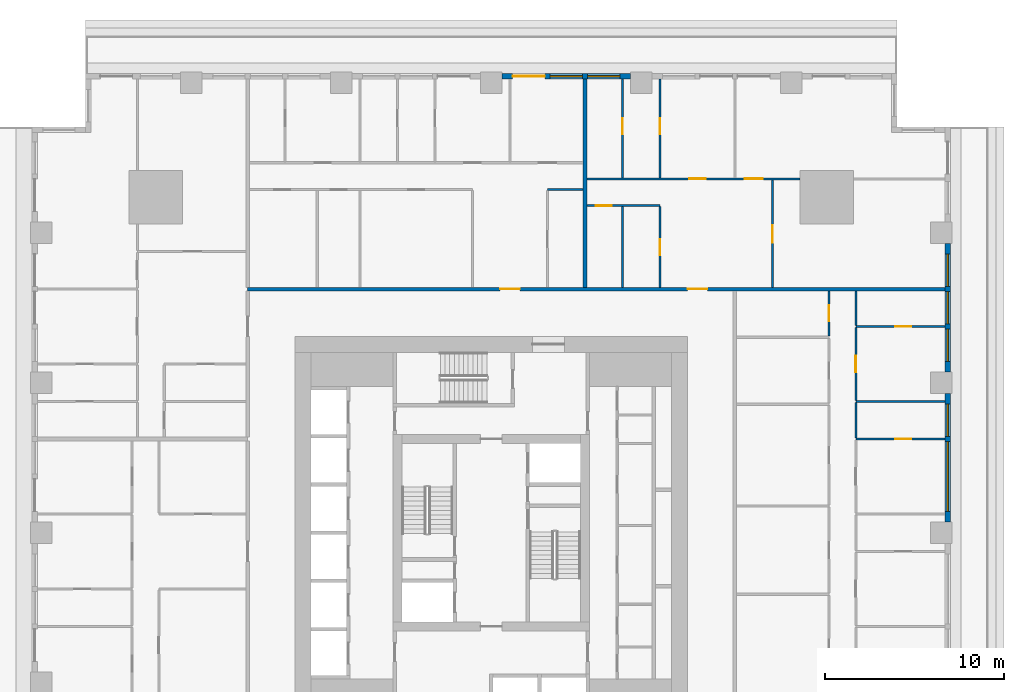
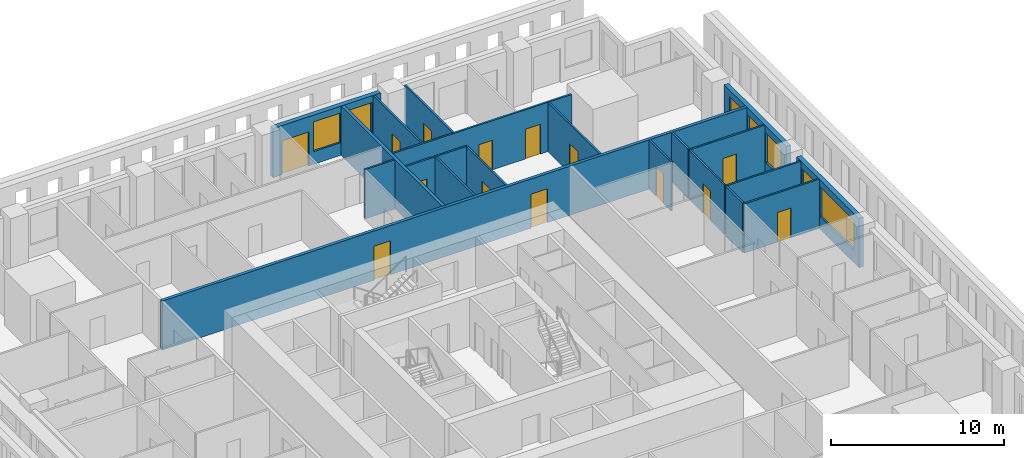
# One storey, part 9 of 15: 20 walls, 14 doors, 7 windows, 21 openings.
"""IFC4 building model written with IfcOpenShell, lengths in metres."""

from ifc_helpers import new_model, si_unit, direction, frame, frame_2d, origin, place, context, subcontext, project, spatial, rectangle, extrude, material, layer, layer_set, type_object, element, fill, save


model = new_model("IFC4")

# Units and contexts
model_context = context("Model", 3, precision=1e-05, world=origin(), true_north=direction((0.0, 1.0)))
body_context = subcontext(model_context, "Body", "Model", "MODEL_VIEW")
ifc_project = project(units=[si_unit("LENGTHUNIT", "METRE"), si_unit("AREAUNIT", "SQUARE_METRE"), si_unit("VOLUMEUNIT", "CUBIC_METRE"), si_unit("PLANEANGLEUNIT", "RADIAN"), si_unit("MASSUNIT", "GRAM", prefix="KILO")], contexts=[model_context])

# Site, building, storey
site_placement = place(None, origin())
site = spatial("IfcSite", under=ifc_project, at=site_placement, CompositionType="ELEMENT")
building_placement = place(site_placement, origin())
building = spatial("IfcBuilding", under=site, at=building_placement, Name="Khepri Terraces", CompositionType="ELEMENT")
storey_placement = place(building_placement, frame((0.0, 0.0, 54.300048828125)))
storey = spatial("IfcBuildingStorey", under=building, at=storey_placement, Name="L12", CompositionType="ELEMENT", Elevation=54.300048828125)

# Wall, openings, doors
ifc_material_1 = material(Name="Fire-rated gypsum plasterboard partition, mineral wool")
ifc_layer_1 = layer(ifc_material_1, 0.199951171875, Name="Fire-rated gypsum plasterboard partition, mineral wool")
ifc_layer_set_1 = layer_set([ifc_layer_1], Name="Fire-rated gypsum plasterboard partition, mineral wool")
wall_type_1 = type_object("IfcWallType", Name="WL-CORR-200", PredefinedType="PARTITIONING", material=ifc_layer_set_1)
wall_1_placement = place(storey_placement, frame((-13.64990234375, 13.64990234375, 0.0), z_axis=(0.0, 0.0, 1.0), x_axis=(1.0, 0.0, 0.0)))
wall_1 = element("IfcWall", 1, at=wall_1_placement, inside=storey, type_object=wall_type_1, Name="Partition P-082 L12", PredefinedType="PARTITIONING", context=body_context, shape_type="SweptSolid", body=[
    extrude(rectangle(XDim=39.06982421875, YDim=0.199951171875, at=frame_2d((19.534912109375, 0.0))), origin(), (0.0, 0.0, 1.0), 3.47998046875),
])
opening_1_placement = place(wall_1_placement, frame((24.64990234375, 0.0, 0.0)))
opening_1 = element("IfcOpeningElement", 2, at=opening_1_placement, cuts=wall_1, Name="Opening D1", PredefinedType="OPENING", context=body_context, shape_type="SweptSolid", body=[
    extrude(rectangle(XDim=1.10009765625, YDim=2.39990234375, at=frame_2d((0.550048828125, 1.199951171875))), frame((0.0, 0.10986328125, 0.0), z_axis=(0.0, -1.0, 0.0), x_axis=(1.0, 0.0, 0.0)), (0.0, 0.0, 1.0), 0.219970703125),
])
opening_2_placement = place(wall_1_placement, frame((14.14990234375, 0.0, 0.0)))
opening_2 = element("IfcOpeningElement", 3, at=opening_2_placement, cuts=wall_1, Name="Opening D1", PredefinedType="OPENING", context=body_context, shape_type="SweptSolid", body=[
    extrude(rectangle(XDim=1.10009765625, YDim=2.39990234375, at=frame_2d((0.550048828125, 1.199951171875))), frame((0.0, 0.10986328125, 0.0), z_axis=(0.0, -1.0, 0.0), x_axis=(1.0, 0.0, 0.0)), (0.0, 0.0, 1.0), 0.219970703125),
])
ifc_material_2 = material(Name="Solid-core timber door leaf, flat entrance door", Category="wood")
door_type_1 = type_object("IfcDoorType", Name="DR-ENT-1100", OperationType="NOTDEFINED", PredefinedType="DOOR", material=ifc_material_2)
door_1_placement = place(opening_1_placement, origin())
door_1 = element("IfcDoor", 4, at=door_1_placement, inside=storey, type_object=door_type_1, Name="Flat C1 entrance door", OperationType="SINGLE_SWING_RIGHT", OverallHeight=2.39990234375, OverallWidth=1.10009765625, PredefinedType="DOOR", context=body_context, shape_type="SweptSolid", body=[
    extrude(rectangle(XDim=1.10009765625, YDim=2.39990234375, at=frame_2d((0.550048828125, 1.199951171875))), frame((0.0, 0.02490234375, 0.0), z_axis=(0.0, -1.0, 0.0), x_axis=(1.0, 0.0, 0.0)), (0.0, 0.0, 1.0), 0.050048828125),
])
fill(opening_1, door_1)
door_2_placement = place(opening_2_placement, origin())
door_2 = element("IfcDoor", 5, at=door_2_placement, inside=storey, type_object=door_type_1, Name="Flat C2 entrance door", OperationType="SINGLE_SWING_LEFT", OverallHeight=2.39990234375, OverallWidth=1.10009765625, PredefinedType="DOOR", context=body_context, shape_type="SweptSolid", body=[
    extrude(rectangle(XDim=1.10009765625, YDim=2.39990234375, at=frame_2d((0.550048828125, 1.199951171875))), frame((0.0, 0.02490234375, 0.0), z_axis=(0.0, -1.0, 0.0), x_axis=(1.0, 0.0, 0.0)), (0.0, 0.0, 1.0), 0.050048828125),
])
fill(opening_2, door_2)

# Wall
wall_2_placement = place(storey_placement, frame((5.25, 13.75, 0.0), z_axis=(0.0, 0.0, 1.0), x_axis=(0.0, 1.0, 0.0)))
element("IfcWall", 6, at=wall_2_placement, inside=storey, type_object=wall_type_1, Name="Partition P-089 L12", PredefinedType="PARTITIONING", context=body_context, shape_type="SweptSolid", body=[
    extrude(rectangle(XDim=11.669921875, YDim=0.199951171875, at=frame_2d((5.8349609375, 0.0))), origin(), (0.0, 0.0, 1.0), 3.47998046875),
])

# Wall, openings, windows
ifc_material_3 = material(Name="Precast concrete C50/60 warm stone", Category="masonry")
ifc_layer_2 = layer(ifc_material_3, 0.300048828125, Name="Precast concrete C50/60 warm stone", Category="masonry")
ifc_layer_set_2 = layer_set([ifc_layer_2], Name="Precast concrete C50/60 warm stone")
wall_type_2 = type_object("IfcWallType", Name="WL-EXT-PRECAST-300", PredefinedType="STANDARD", material=ifc_layer_set_2)
wall_3_placement = place(storey_placement, frame((25.570068359375, 0.60009765625, 0.0), z_axis=(0.0, 0.0, 1.0), x_axis=(0.0, 1.0, 0.0)))
wall_3 = element("IfcWall", 7, at=wall_3_placement, inside=storey, type_object=wall_type_2, Name="External wall L12 E", PredefinedType="STANDARD", context=body_context, shape_type="SweptSolid", body=[
    extrude(rectangle(XDim=7.199951171875, YDim=0.300048828125, at=frame_2d((3.60009765625, 0.0))), origin(), (0.0, 0.0, 1.0), 3.47998046875),
])
opening_3_placement = place(wall_3_placement, frame((0.60009765625, 0.0, 0.89990234375)))
opening_3 = element("IfcOpeningElement", 8, at=opening_3_placement, cuts=wall_3, Name="Opening W2", PredefinedType="OPENING", context=body_context, shape_type="SweptSolid", body=[
    extrude(rectangle(XDim=3.89990234375, YDim=2.10009765625, at=frame_2d((1.949951171875, 1.050048828125))), frame((0.0, 0.16015625, 0.0), z_axis=(0.0, -1.0, 0.0), x_axis=(1.0, 0.0, 0.0)), (0.0, 0.0, 1.0), 0.320068359375),
])
opening_4_placement = place(wall_3_placement, frame((4.800048828125, 0.0, 0.89990234375)))
opening_4 = element("IfcOpeningElement", 9, at=opening_4_placement, cuts=wall_3, Name="Opening W1", PredefinedType="OPENING", context=body_context, shape_type="SweptSolid", body=[
    extrude(rectangle(XDim=1.800048828125, YDim=2.10009765625, at=frame_2d((0.89990234375, 1.050048828125))), frame((0.0, 0.16015625, 0.0), z_axis=(0.0, -1.0, 0.0), x_axis=(1.0, 0.0, 0.0)), (0.0, 0.0, 1.0), 0.320068359375),
])
ifc_material_4 = material(Name="Clear glass", Category="glass")
window_type_1 = type_object("IfcWindowType", Name="WIN-RES-1800x2100", PartitioningType="SINGLE_PANEL", PredefinedType="WINDOW", material=ifc_material_4)
window_1_placement = place(opening_4_placement, origin())
window_1 = element("IfcWindow", 10, at=window_1_placement, inside=storey, type_object=window_type_1, Name="Window L12 E", OverallHeight=2.10009765625, OverallWidth=1.800048828125, PartitioningType="SINGLE_PANEL", PredefinedType="WINDOW", context=body_context, shape_type="SweptSolid", body=[
    extrude(rectangle(XDim=1.800048828125, YDim=2.10009765625, at=frame_2d((0.89990234375, 1.050048828125))), frame((0.0, 0.030029296875, 0.0), z_axis=(0.0, -1.0, 0.0), x_axis=(1.0, 0.0, 0.0)), (0.0, 0.0, 1.0), 0.06005859375),
])
fill(opening_4, window_1)
window_type_2 = type_object("IfcWindowType", Name="WIN-RES-3900x2100", PartitioningType="SINGLE_PANEL", PredefinedType="WINDOW", material=ifc_material_4)
window_2_placement = place(opening_3_placement, origin())
window_2 = element("IfcWindow", 11, at=window_2_placement, inside=storey, type_object=window_type_2, Name="Window L12 E", OverallHeight=2.10009765625, OverallWidth=3.89990234375, PartitioningType="SINGLE_PANEL", PredefinedType="WINDOW", context=body_context, shape_type="SweptSolid", body=[
    extrude(rectangle(XDim=3.89990234375, YDim=2.10009765625, at=frame_2d((1.949951171875, 1.050048828125))), frame((0.0, 0.030029296875, 0.0), z_axis=(0.0, -1.0, 0.0), x_axis=(1.0, 0.0, 0.0)), (0.0, 0.0, 1.0), 0.06005859375),
])
fill(opening_3, window_2)

wall_4_placement = place(storey_placement, frame((25.570068359375, 9.0, 0.0), z_axis=(0.0, 0.0, 1.0), x_axis=(0.0, 1.0, 0.0)))
wall_4 = element("IfcWall", 12, at=wall_4_placement, inside=storey, type_object=wall_type_2, Name="External wall L12 E", PredefinedType="STANDARD", context=body_context, shape_type="SweptSolid", body=[
    extrude(rectangle(XDim=7.199951171875, YDim=0.300048828125, at=frame_2d((3.60009765625, 0.0))), origin(), (0.0, 0.0, 1.0), 3.47998046875),
])
opening_5_placement = place(wall_4_placement, frame((0.60009765625, 0.0, 0.89990234375)))
opening_5 = element("IfcOpeningElement", 13, at=opening_5_placement, cuts=wall_4, Name="Opening W1", PredefinedType="OPENING", context=body_context, shape_type="SweptSolid", body=[
    extrude(rectangle(XDim=1.800048828125, YDim=2.10009765625, at=frame_2d((0.89990234375, 1.050048828125))), frame((0.0, 0.16015625, 0.0), z_axis=(0.0, -1.0, 0.0), x_axis=(1.0, 0.0, 0.0)), (0.0, 0.0, 1.0), 0.320068359375),
])
opening_6_placement = place(wall_4_placement, frame((2.699951171875, 0.0, 0.89990234375)))
opening_6 = element("IfcOpeningElement", 14, at=opening_6_placement, cuts=wall_4, Name="Opening W1", PredefinedType="OPENING", context=body_context, shape_type="SweptSolid", body=[
    extrude(rectangle(XDim=1.800048828125, YDim=2.10009765625, at=frame_2d((0.89990234375, 1.050048828125))), frame((0.0, 0.16015625, 0.0), z_axis=(0.0, -1.0, 0.0), x_axis=(1.0, 0.0, 0.0)), (0.0, 0.0, 1.0), 0.320068359375),
])
opening_7_placement = place(wall_4_placement, frame((4.800048828125, 0.0, 0.89990234375)))
opening_7 = element("IfcOpeningElement", 15, at=opening_7_placement, cuts=wall_4, Name="Opening W1", PredefinedType="OPENING", context=body_context, shape_type="SweptSolid", body=[
    extrude(rectangle(XDim=1.800048828125, YDim=2.10009765625, at=frame_2d((0.89990234375, 1.050048828125))), frame((0.0, 0.16015625, 0.0), z_axis=(0.0, -1.0, 0.0), x_axis=(1.0, 0.0, 0.0)), (0.0, 0.0, 1.0), 0.320068359375),
])
window_3_placement = place(opening_5_placement, origin())
window_3 = element("IfcWindow", 16, at=window_3_placement, inside=storey, type_object=window_type_1, Name="Window L12 E", OverallHeight=2.10009765625, OverallWidth=1.800048828125, PartitioningType="SINGLE_PANEL", PredefinedType="WINDOW", context=body_context, shape_type="SweptSolid", body=[
    extrude(rectangle(XDim=1.800048828125, YDim=2.10009765625, at=frame_2d((0.89990234375, 1.050048828125))), frame((0.0, 0.030029296875, 0.0), z_axis=(0.0, -1.0, 0.0), x_axis=(1.0, 0.0, 0.0)), (0.0, 0.0, 1.0), 0.06005859375),
])
fill(opening_5, window_3)
window_4_placement = place(opening_6_placement, origin())
window_4 = element("IfcWindow", 17, at=window_4_placement, inside=storey, type_object=window_type_1, Name="Window L12 E", OverallHeight=2.10009765625, OverallWidth=1.800048828125, PartitioningType="SINGLE_PANEL", PredefinedType="WINDOW", context=body_context, shape_type="SweptSolid", body=[
    extrude(rectangle(XDim=1.800048828125, YDim=2.10009765625, at=frame_2d((0.89990234375, 1.050048828125))), frame((0.0, 0.030029296875, 0.0), z_axis=(0.0, -1.0, 0.0), x_axis=(1.0, 0.0, 0.0)), (0.0, 0.0, 1.0), 0.06005859375),
])
fill(opening_6, window_4)
window_5_placement = place(opening_7_placement, origin())
window_5 = element("IfcWindow", 18, at=window_5_placement, inside=storey, type_object=window_type_1, Name="Window L12 E", OverallHeight=2.10009765625, OverallWidth=1.800048828125, PartitioningType="SINGLE_PANEL", PredefinedType="WINDOW", context=body_context, shape_type="SweptSolid", body=[
    extrude(rectangle(XDim=1.800048828125, YDim=2.10009765625, at=frame_2d((0.89990234375, 1.050048828125))), frame((0.0, 0.030029296875, 0.0), z_axis=(0.0, -1.0, 0.0), x_axis=(1.0, 0.0, 0.0)), (0.0, 0.0, 1.0), 0.06005859375),
])
fill(opening_7, window_5)

# Wall, openings, door, windows
wall_5_placement = place(storey_placement, frame((7.800048828125, 25.570068359375, 0.0), z_axis=(0.0, 0.0, 1.0), x_axis=(-1.0, 0.0, 0.0)))
wall_5 = element("IfcWall", 19, at=wall_5_placement, inside=storey, type_object=wall_type_2, Name="External wall L12 N", PredefinedType="STANDARD", context=body_context, shape_type="SweptSolid", body=[
    extrude(rectangle(XDim=7.199951171875, YDim=0.300048828125, at=frame_2d((3.60009765625, 0.0))), origin(), (0.0, 0.0, 1.0), 3.47998046875),
])
opening_8_placement = place(wall_5_placement, frame((0.60009765625, 0.0, 0.89990234375)))
opening_8 = element("IfcOpeningElement", 20, at=opening_8_placement, cuts=wall_5, Name="Opening W1", PredefinedType="OPENING", context=body_context, shape_type="SweptSolid", body=[
    extrude(rectangle(XDim=1.800048828125, YDim=2.10009765625, at=frame_2d((0.89990234375, 1.050048828125))), frame((0.0, 0.16015625, 0.0), z_axis=(0.0, -1.0, 0.0), x_axis=(1.0, 0.0, 0.0)), (0.0, 0.0, 1.0), 0.320068359375),
])
opening_9_placement = place(wall_5_placement, frame((2.699951171875, 0.0, 0.89990234375)))
opening_9 = element("IfcOpeningElement", 21, at=opening_9_placement, cuts=wall_5, Name="Opening W1", PredefinedType="OPENING", context=body_context, shape_type="SweptSolid", body=[
    extrude(rectangle(XDim=1.800048828125, YDim=2.10009765625, at=frame_2d((0.89990234375, 1.050048828125))), frame((0.0, 0.16015625, 0.0), z_axis=(0.0, -1.0, 0.0), x_axis=(1.0, 0.0, 0.0)), (0.0, 0.0, 1.0), 0.320068359375),
])
opening_10_placement = place(wall_5_placement, frame((4.800048828125, 0.0, 0.0)))
opening_10 = element("IfcOpeningElement", 22, at=opening_10_placement, cuts=wall_5, Name="Opening ED-L12-08", PredefinedType="OPENING", context=body_context, shape_type="SweptSolid", body=[
    extrude(rectangle(XDim=1.800048828125, YDim=2.39990234375, at=frame_2d((0.89990234375, 1.199951171875))), frame((0.0, 0.16015625, 0.0), z_axis=(0.0, -1.0, 0.0), x_axis=(1.0, 0.0, 0.0)), (0.0, 0.0, 1.0), 0.320068359375),
])
ifc_material_5 = material(Name="Anodised aluminium bronze glazed door", Category="aluminium")
door_type_2 = type_object("IfcDoorType", Name="DR-BAL-SLIDE-1800x2400", OperationType="NOTDEFINED", PredefinedType="DOOR", material=ifc_material_5)
door_3_placement = place(opening_10_placement, origin())
door_3 = element("IfcDoor", 23, at=door_3_placement, inside=storey, type_object=door_type_2, Name="Balcony door L12 N", OperationType="SLIDING_TO_RIGHT", OverallHeight=2.39990234375, OverallWidth=1.800048828125, PredefinedType="DOOR", context=body_context, shape_type="SweptSolid", body=[
    extrude(rectangle(XDim=1.800048828125, YDim=2.39990234375, at=frame_2d((0.89990234375, 1.199951171875))), frame((0.0, 0.02490234375, 0.0), z_axis=(0.0, -1.0, 0.0), x_axis=(1.0, 0.0, 0.0)), (0.0, 0.0, 1.0), 0.050048828125),
])
fill(opening_10, door_3)
window_6_placement = place(opening_8_placement, origin())
window_6 = element("IfcWindow", 24, at=window_6_placement, inside=storey, type_object=window_type_1, Name="Window L12 N", OverallHeight=2.10009765625, OverallWidth=1.800048828125, PartitioningType="SINGLE_PANEL", PredefinedType="WINDOW", context=body_context, shape_type="SweptSolid", body=[
    extrude(rectangle(XDim=1.800048828125, YDim=2.10009765625, at=frame_2d((0.89990234375, 1.050048828125))), frame((0.0, 0.030029296875, 0.0), z_axis=(0.0, -1.0, 0.0), x_axis=(1.0, 0.0, 0.0)), (0.0, 0.0, 1.0), 0.06005859375),
])
fill(opening_8, window_6)
window_7_placement = place(opening_9_placement, origin())
window_7 = element("IfcWindow", 25, at=window_7_placement, inside=storey, type_object=window_type_1, Name="Window L12 N", OverallHeight=2.10009765625, OverallWidth=1.800048828125, PartitioningType="SINGLE_PANEL", PredefinedType="WINDOW", context=body_context, shape_type="SweptSolid", body=[
    extrude(rectangle(XDim=1.800048828125, YDim=2.10009765625, at=frame_2d((0.89990234375, 1.050048828125))), frame((0.0, 0.030029296875, 0.0), z_axis=(0.0, -1.0, 0.0), x_axis=(1.0, 0.0, 0.0)), (0.0, 0.0, 1.0), 0.06005859375),
])
fill(opening_9, window_7)

# Wall, opening, door
ifc_material_6 = material(Name="Gypsum plasterboard partition")
ifc_layer_3 = layer(ifc_material_6, 0.1201171875, Name="Gypsum plasterboard partition")
ifc_layer_set_3 = layer_set([ifc_layer_3], Name="Gypsum plasterboard partition")
wall_type_3 = type_object("IfcWallType", Name="WL-PART-120", PredefinedType="PARTITIONING", material=ifc_layer_set_3)
wall_6_placement = place(storey_placement, frame((20.419921875, 5.25, 0.0), z_axis=(0.0, 0.0, 1.0), x_axis=(1.0, 0.0, 0.0)))
wall_6 = element("IfcWall", 26, at=wall_6_placement, inside=storey, type_object=wall_type_3, Name="Partition P-061 L12", PredefinedType="PARTITIONING", context=body_context, shape_type="SweptSolid", body=[
    extrude(rectangle(XDim=5.0, YDim=0.1201171875, at=frame_2d((2.5, 0.0))), origin(), (0.0, 0.0, 1.0), 3.47998046875),
])
opening_11_placement = place(wall_6_placement, frame((2.199951171875, 0.0, 0.0)))
opening_11 = element("IfcOpeningElement", 27, at=opening_11_placement, cuts=wall_6, Name="Opening D4", PredefinedType="OPENING", context=body_context, shape_type="SweptSolid", body=[
    extrude(rectangle(XDim=0.89990234375, YDim=2.10009765625, at=frame_2d((0.449951171875, 1.050048828125))), frame((0.0, 0.070068359375, 0.0), z_axis=(0.0, -1.0, 0.0), x_axis=(1.0, 0.0, 0.0)), (0.0, 0.0, 1.0), 0.14013671875),
])
ifc_material_7 = material(Name="Timber door leaf, moisture resistant", Category="wood")
door_type_3 = type_object("IfcDoorType", Name="DR-WET-900", OperationType="NOTDEFINED", PredefinedType="DOOR", material=ifc_material_7)
door_4_placement = place(opening_11_placement, origin())
door_4 = element("IfcDoor", 28, at=door_4_placement, inside=storey, type_object=door_type_3, Name="Door Bathroom", OperationType="SINGLE_SWING_RIGHT", OverallHeight=2.10009765625, OverallWidth=0.89990234375, PredefinedType="DOOR", context=body_context, shape_type="SweptSolid", body=[
    extrude(rectangle(XDim=0.89990234375, YDim=2.10009765625, at=frame_2d((0.449951171875, 1.050048828125))), frame((0.0, 0.02490234375, 0.0), z_axis=(0.0, -1.0, 0.0), x_axis=(1.0, 0.0, 0.0)), (0.0, 0.0, 1.0), 0.050048828125),
])
fill(opening_11, door_4)

# Walls
wall_7_placement = place(storey_placement, frame((20.419921875, 5.31005859375, 0.0), z_axis=(0.0, 0.0, 1.0), x_axis=(0.0, 1.0, 0.0)))
element("IfcWall", 29, at=wall_7_placement, inside=storey, type_object=wall_type_3, Name="Partition P-062 L12", PredefinedType="PARTITIONING", context=body_context, shape_type="SweptSolid", body=[
    extrude(rectangle(XDim=1.97998046875, YDim=0.1201171875, at=frame_2d((0.989990234375, 0.0))), origin(), (0.0, 0.0, 1.0), 3.47998046875),
])
wall_8_placement = place(storey_placement, frame((20.419921875, 7.35009765625, 0.0), z_axis=(0.0, 0.0, 1.0), x_axis=(1.0, 0.0, 0.0)))
element("IfcWall", 30, at=wall_8_placement, inside=storey, type_object=wall_type_3, Name="Partition P-070 L12", PredefinedType="PARTITIONING", context=body_context, shape_type="SweptSolid", body=[
    extrude(rectangle(XDim=5.0, YDim=0.1201171875, at=frame_2d((2.5, 0.0))), origin(), (0.0, 0.0, 1.0), 3.47998046875),
])

# Wall, opening, door
wall_9_placement = place(storey_placement, frame((20.419921875, 7.409912109375, 0.0), z_axis=(0.0, 0.0, 1.0), x_axis=(0.0, 1.0, 0.0)))
wall_9 = element("IfcWall", 31, at=wall_9_placement, inside=storey, type_object=wall_type_3, Name="Partition P-073 L12", PredefinedType="PARTITIONING", context=body_context, shape_type="SweptSolid", body=[
    extrude(rectangle(XDim=4.080078125, YDim=0.1201171875, at=frame_2d((2.0400390625, 0.0))), origin(), (0.0, 0.0, 1.0), 3.47998046875),
])
opening_12_placement = place(wall_9_placement, frame((1.590087890625, 0.0, 0.0)))
opening_12 = element("IfcOpeningElement", 32, at=opening_12_placement, cuts=wall_9, Name="Opening D3", PredefinedType="OPENING", context=body_context, shape_type="SweptSolid", body=[
    extrude(rectangle(XDim=0.89990234375, YDim=2.10009765625, at=frame_2d((0.449951171875, 1.050048828125))), frame((0.0, 0.070068359375, 0.0), z_axis=(0.0, -1.0, 0.0), x_axis=(1.0, 0.0, 0.0)), (0.0, 0.0, 1.0), 0.14013671875),
])
ifc_material_8 = material(Name="Timber door leaf", Category="wood")
door_type_4 = type_object("IfcDoorType", Name="DR-INT-900", OperationType="NOTDEFINED", PredefinedType="DOOR", material=ifc_material_8)
door_5_placement = place(opening_12_placement, frame((0.89990234375, 0.0, 0.0), z_axis=(0.0, 0.0, 1.0), x_axis=(-1.0, 0.0, 0.0)))
door_5 = element("IfcDoor", 33, at=door_5_placement, inside=storey, type_object=door_type_4, Name="Door Guest Bedroom", OperationType="SINGLE_SWING_RIGHT", OverallHeight=2.10009765625, OverallWidth=0.89990234375, PredefinedType="DOOR", context=body_context, shape_type="SweptSolid", body=[
    extrude(rectangle(XDim=0.89990234375, YDim=2.10009765625, at=frame_2d((0.449951171875, 1.050048828125))), frame((0.0, 0.02490234375, 0.0), z_axis=(0.0, -1.0, 0.0), x_axis=(1.0, 0.0, 0.0)), (0.0, 0.0, 1.0), 0.050048828125),
])
fill(opening_12, door_5)

wall_10_placement = place(storey_placement, frame((18.919921875, 11.010009765625, 0.0), z_axis=(0.0, 0.0, 1.0), x_axis=(0.0, 1.0, 0.0)))
wall_10 = element("IfcWall", 34, at=wall_10_placement, inside=storey, type_object=wall_type_3, Name="Partition P-078 L12", PredefinedType="PARTITIONING", context=body_context, shape_type="SweptSolid", body=[
    extrude(rectangle(XDim=2.5400390625, YDim=0.1201171875, at=frame_2d((1.27001953125, 0.0))), origin(), (0.0, 0.0, 1.0), 3.47998046875),
])
opening_13_placement = place(wall_10_placement, frame((0.840087890625, 0.0, 0.0)))
opening_13 = element("IfcOpeningElement", 35, at=opening_13_placement, cuts=wall_10, Name="Opening D3", PredefinedType="OPENING", context=body_context, shape_type="SweptSolid", body=[
    extrude(rectangle(XDim=0.89990234375, YDim=2.10009765625, at=frame_2d((0.449951171875, 1.050048828125))), frame((0.0, 0.070068359375, 0.0), z_axis=(0.0, -1.0, 0.0), x_axis=(1.0, 0.0, 0.0)), (0.0, 0.0, 1.0), 0.14013671875),
])
door_6_placement = place(opening_13_placement, origin())
door_6 = element("IfcDoor", 36, at=door_6_placement, inside=storey, type_object=door_type_4, Name="Door Utility Room", OperationType="SINGLE_SWING_RIGHT", OverallHeight=2.10009765625, OverallWidth=0.89990234375, PredefinedType="DOOR", context=body_context, shape_type="SweptSolid", body=[
    extrude(rectangle(XDim=0.89990234375, YDim=2.10009765625, at=frame_2d((0.449951171875, 1.050048828125))), frame((0.0, 0.02490234375, 0.0), z_axis=(0.0, -1.0, 0.0), x_axis=(1.0, 0.0, 0.0)), (0.0, 0.0, 1.0), 0.050048828125),
])
fill(opening_13, door_6)

wall_11_placement = place(storey_placement, frame((20.419921875, 11.550048828125, 0.0), z_axis=(0.0, 0.0, 1.0), x_axis=(1.0, 0.0, 0.0)))
wall_11 = element("IfcWall", 37, at=wall_11_placement, inside=storey, type_object=wall_type_3, Name="Partition P-079 L12", PredefinedType="PARTITIONING", context=body_context, shape_type="SweptSolid", body=[
    extrude(rectangle(XDim=5.0, YDim=0.1201171875, at=frame_2d((2.5, 0.0))), origin(), (0.0, 0.0, 1.0), 3.47998046875),
])
opening_14_placement = place(wall_11_placement, frame((2.199951171875, 0.0, 0.0)))
opening_14 = element("IfcOpeningElement", 38, at=opening_14_placement, cuts=wall_11, Name="Opening D4", PredefinedType="OPENING", context=body_context, shape_type="SweptSolid", body=[
    extrude(rectangle(XDim=0.89990234375, YDim=2.10009765625, at=frame_2d((0.449951171875, 1.050048828125))), frame((0.0, 0.070068359375, 0.0), z_axis=(0.0, -1.0, 0.0), x_axis=(1.0, 0.0, 0.0)), (0.0, 0.0, 1.0), 0.14013671875),
])
door_7_placement = place(opening_14_placement, origin())
door_7 = element("IfcDoor", 39, at=door_7_placement, inside=storey, type_object=door_type_3, Name="Door Bathroom", OperationType="SINGLE_SWING_RIGHT", OverallHeight=2.10009765625, OverallWidth=0.89990234375, PredefinedType="DOOR", context=body_context, shape_type="SweptSolid", body=[
    extrude(rectangle(XDim=0.89990234375, YDim=2.10009765625, at=frame_2d((0.449951171875, 1.050048828125))), frame((0.0, 0.02490234375, 0.0), z_axis=(0.0, -1.0, 0.0), x_axis=(1.0, 0.0, 0.0)), (0.0, 0.0, 1.0), 0.050048828125),
])
fill(opening_14, door_7)

# Walls
wall_12_placement = place(storey_placement, frame((20.419921875, 11.610107421875, 0.0), z_axis=(0.0, 0.0, 1.0), x_axis=(0.0, 1.0, 0.0)))
element("IfcWall", 40, at=wall_12_placement, inside=storey, type_object=wall_type_3, Name="Partition P-080 L12", PredefinedType="PARTITIONING", context=body_context, shape_type="SweptSolid", body=[
    extrude(rectangle(XDim=1.93994140625, YDim=0.1201171875, at=frame_2d((0.969970703125, 0.0))), origin(), (0.0, 0.0, 1.0), 3.47998046875),
])
wall_13_placement = place(storey_placement, frame((7.35009765625, 13.75, 0.0), z_axis=(0.0, 0.0, 1.0), x_axis=(0.0, 1.0, 0.0)))
element("IfcWall", 41, at=wall_13_placement, inside=storey, type_object=wall_type_3, Name="Partition P-090 L12", PredefinedType="PARTITIONING", context=body_context, shape_type="SweptSolid", body=[
    extrude(rectangle(XDim=4.510009765625, YDim=0.1201171875, at=frame_2d((2.2548828125, 0.0))), origin(), (0.0, 0.0, 1.0), 3.47998046875),
])

# Wall, opening, door
wall_14_placement = place(storey_placement, frame((9.449951171875, 13.75, 0.0), z_axis=(0.0, 0.0, 1.0), x_axis=(0.0, 1.0, 0.0)))
wall_14 = element("IfcWall", 42, at=wall_14_placement, inside=storey, type_object=wall_type_3, Name="Partition P-091 L12", PredefinedType="PARTITIONING", context=body_context, shape_type="SweptSolid", body=[
    extrude(rectangle(XDim=4.510009765625, YDim=0.1201171875, at=frame_2d((2.2548828125, 0.0))), origin(), (0.0, 0.0, 1.0), 3.47998046875),
])
opening_15_placement = place(wall_14_placement, frame((1.784912109375, 0.0, 0.0)))
opening_15 = element("IfcOpeningElement", 43, at=opening_15_placement, cuts=wall_14, Name="Opening D4", PredefinedType="OPENING", context=body_context, shape_type="SweptSolid", body=[
    extrude(rectangle(XDim=0.89990234375, YDim=2.10009765625, at=frame_2d((0.449951171875, 1.050048828125))), frame((0.0, 0.070068359375, 0.0), z_axis=(0.0, -1.0, 0.0), x_axis=(1.0, 0.0, 0.0)), (0.0, 0.0, 1.0), 0.14013671875),
])
door_8_placement = place(opening_15_placement, origin())
door_8 = element("IfcDoor", 44, at=door_8_placement, inside=storey, type_object=door_type_3, Name="Door Guest Bathroom", OperationType="SINGLE_SWING_LEFT", OverallHeight=2.10009765625, OverallWidth=0.89990234375, PredefinedType="DOOR", context=body_context, shape_type="SweptSolid", body=[
    extrude(rectangle(XDim=0.89990234375, YDim=2.10009765625, at=frame_2d((0.449951171875, 1.050048828125))), frame((0.0, 0.02490234375, 0.0), z_axis=(0.0, -1.0, 0.0), x_axis=(1.0, 0.0, 0.0)), (0.0, 0.0, 1.0), 0.050048828125),
])
fill(opening_15, door_8)

wall_15_placement = place(storey_placement, frame((15.75, 13.75, 0.0), z_axis=(0.0, 0.0, 1.0), x_axis=(0.0, 1.0, 0.0)))
wall_15 = element("IfcWall", 45, at=wall_15_placement, inside=storey, type_object=wall_type_3, Name="Partition P-092 L12", PredefinedType="PARTITIONING", context=body_context, shape_type="SweptSolid", body=[
    extrude(rectangle(XDim=6.010009765625, YDim=0.1201171875, at=frame_2d((3.0048828125, 0.0))), origin(), (0.0, 0.0, 1.0), 3.47998046875),
])
opening_16_placement = place(wall_15_placement, frame((2.485107421875, 0.0, 0.0)))
opening_16 = element("IfcOpeningElement", 46, at=opening_16_placement, cuts=wall_15, Name="Opening D2", PredefinedType="OPENING", context=body_context, shape_type="SweptSolid", body=[
    extrude(rectangle(XDim=1.0, YDim=2.10009765625, at=frame_2d((0.5, 1.050048828125))), frame((0.0, 0.070068359375, 0.0), z_axis=(0.0, -1.0, 0.0), x_axis=(1.0, 0.0, 0.0)), (0.0, 0.0, 1.0), 0.14013671875),
])
ifc_material_9 = material(Name="Timber door leaf, living room door", Category="wood")
door_type_5 = type_object("IfcDoorType", Name="DR-INT-1000", OperationType="NOTDEFINED", PredefinedType="DOOR", material=ifc_material_9)
door_9_placement = place(opening_16_placement, frame((1.0, 0.0, 0.0), z_axis=(0.0, 0.0, 1.0), x_axis=(-1.0, 0.0, 0.0)))
door_9 = element("IfcDoor", 47, at=door_9_placement, inside=storey, type_object=door_type_5, Name="Door Family Room", OperationType="SINGLE_SWING_RIGHT", OverallHeight=2.10009765625, OverallWidth=1.0, PredefinedType="DOOR", context=body_context, shape_type="SweptSolid", body=[
    extrude(rectangle(XDim=1.0, YDim=2.10009765625, at=frame_2d((0.5, 1.050048828125))), frame((0.0, 0.02490234375, 0.0), z_axis=(0.0, -1.0, 0.0), x_axis=(1.0, 0.0, 0.0)), (0.0, 0.0, 1.0), 0.050048828125),
])
fill(opening_16, door_9)

wall_16_placement = place(storey_placement, frame((5.35009765625, 18.320068359375, 0.0), z_axis=(0.0, 0.0, 1.0), x_axis=(1.0, 0.0, 0.0)))
wall_16 = element("IfcWall", 48, at=wall_16_placement, inside=storey, type_object=wall_type_3, Name="Partition P-095 L12", PredefinedType="PARTITIONING", context=body_context, shape_type="SweptSolid", body=[
    extrude(rectangle(XDim=4.099853515625, YDim=0.1201171875, at=frame_2d((2.0498046875, 0.0))), origin(), (0.0, 0.0, 1.0), 3.47998046875),
])
opening_17_placement = place(wall_16_placement, frame((0.5, 0.0, 0.0)))
opening_17 = element("IfcOpeningElement", 49, at=opening_17_placement, cuts=wall_16, Name="Opening D3", PredefinedType="OPENING", context=body_context, shape_type="SweptSolid", body=[
    extrude(rectangle(XDim=0.89990234375, YDim=2.10009765625, at=frame_2d((0.449951171875, 1.050048828125))), frame((0.0, 0.070068359375, 0.0), z_axis=(0.0, -1.0, 0.0), x_axis=(1.0, 0.0, 0.0)), (0.0, 0.0, 1.0), 0.14013671875),
])
door_10_placement = place(opening_17_placement, frame((0.89990234375, 0.0, 0.0), z_axis=(0.0, 0.0, 1.0), x_axis=(-1.0, 0.0, 0.0)))
door_10 = element("IfcDoor", 50, at=door_10_placement, inside=storey, type_object=door_type_4, Name="Door Kitchen", OperationType="SINGLE_SWING_RIGHT", OverallHeight=2.10009765625, OverallWidth=0.89990234375, PredefinedType="DOOR", context=body_context, shape_type="SweptSolid", body=[
    extrude(rectangle(XDim=0.89990234375, YDim=2.10009765625, at=frame_2d((0.449951171875, 1.050048828125))), frame((0.0, 0.02490234375, 0.0), z_axis=(0.0, -1.0, 0.0), x_axis=(1.0, 0.0, 0.0)), (0.0, 0.0, 1.0), 0.050048828125),
])
fill(opening_17, door_10)

# Wall
wall_17_placement = place(storey_placement, frame((3.14990234375, 19.219970703125, 0.0), z_axis=(0.0, 0.0, 1.0), x_axis=(1.0, 0.0, 0.0)))
element("IfcWall", 51, at=wall_17_placement, inside=storey, type_object=wall_type_3, Name="Partition P-097 L12", PredefinedType="PARTITIONING", context=body_context, shape_type="SweptSolid", body=[
    extrude(rectangle(XDim=2.0, YDim=0.1201171875, at=frame_2d((1.0, 0.0))), origin(), (0.0, 0.0, 1.0), 3.47998046875),
])

# Wall, openings, doors
wall_18_placement = place(storey_placement, frame((5.35009765625, 19.820068359375, 0.0), z_axis=(0.0, 0.0, 1.0), x_axis=(1.0, 0.0, 0.0)))
wall_18 = element("IfcWall", 52, at=wall_18_placement, inside=storey, type_object=wall_type_3, Name="Partition P-098 L12", PredefinedType="PARTITIONING", context=body_context, shape_type="SweptSolid", body=[
    extrude(rectangle(XDim=11.949951171875, YDim=0.1201171875, at=frame_2d((5.97509765625, 0.0))), origin(), (0.0, 0.0, 1.0), 3.47998046875),
])
opening_18_placement = place(wall_18_placement, frame((8.85009765625, 0.0, 0.0)))
opening_18 = element("IfcOpeningElement", 53, at=opening_18_placement, cuts=wall_18, Name="Opening D2", PredefinedType="OPENING", context=body_context, shape_type="SweptSolid", body=[
    extrude(rectangle(XDim=1.0, YDim=2.10009765625, at=frame_2d((0.5, 1.050048828125))), frame((0.0, 0.070068359375, 0.0), z_axis=(0.0, -1.0, 0.0), x_axis=(1.0, 0.0, 0.0)), (0.0, 0.0, 1.0), 0.14013671875),
])
opening_19_placement = place(wall_18_placement, frame((5.75, 0.0, 0.0)))
opening_19 = element("IfcOpeningElement", 54, at=opening_19_placement, cuts=wall_18, Name="Opening D3", PredefinedType="OPENING", context=body_context, shape_type="SweptSolid", body=[
    extrude(rectangle(XDim=0.89990234375, YDim=2.10009765625, at=frame_2d((0.449951171875, 1.050048828125))), frame((0.0, 0.070068359375, 0.0), z_axis=(0.0, -1.0, 0.0), x_axis=(1.0, 0.0, 0.0)), (0.0, 0.0, 1.0), 0.14013671875),
])
door_11_placement = place(opening_18_placement, origin())
door_11 = element("IfcDoor", 55, at=door_11_placement, inside=storey, type_object=door_type_5, Name="Door Living Room", OperationType="SINGLE_SWING_RIGHT", OverallHeight=2.10009765625, OverallWidth=1.0, PredefinedType="DOOR", context=body_context, shape_type="SweptSolid", body=[
    extrude(rectangle(XDim=1.0, YDim=2.10009765625, at=frame_2d((0.5, 1.050048828125))), frame((0.0, 0.02490234375, 0.0), z_axis=(0.0, -1.0, 0.0), x_axis=(1.0, 0.0, 0.0)), (0.0, 0.0, 1.0), 0.050048828125),
])
fill(opening_18, door_11)
door_12_placement = place(opening_19_placement, origin())
door_12 = element("IfcDoor", 56, at=door_12_placement, inside=storey, type_object=door_type_4, Name="Door Master Bedroom", OperationType="SINGLE_SWING_RIGHT", OverallHeight=2.10009765625, OverallWidth=0.89990234375, PredefinedType="DOOR", context=body_context, shape_type="SweptSolid", body=[
    extrude(rectangle(XDim=0.89990234375, YDim=2.10009765625, at=frame_2d((0.449951171875, 1.050048828125))), frame((0.0, 0.02490234375, 0.0), z_axis=(0.0, -1.0, 0.0), x_axis=(1.0, 0.0, 0.0)), (0.0, 0.0, 1.0), 0.050048828125),
])
fill(opening_19, door_12)

# Wall, opening, door
wall_19_placement = place(storey_placement, frame((7.35009765625, 19.8798828125, 0.0), z_axis=(0.0, 0.0, 1.0), x_axis=(0.0, 1.0, 0.0)))
wall_19 = element("IfcWall", 57, at=wall_19_placement, inside=storey, type_object=wall_type_3, Name="Partition P-100 L12", PredefinedType="PARTITIONING", context=body_context, shape_type="SweptSolid", body=[
    extrude(rectangle(XDim=5.5400390625, YDim=0.1201171875, at=frame_2d((2.77001953125, 0.0))), origin(), (0.0, 0.0, 1.0), 3.47998046875),
])
opening_20_placement = place(wall_19_placement, frame((2.43994140625, 0.0, 0.0)))
opening_20 = element("IfcOpeningElement", 58, at=opening_20_placement, cuts=wall_19, Name="Opening D4", PredefinedType="OPENING", context=body_context, shape_type="SweptSolid", body=[
    extrude(rectangle(XDim=0.89990234375, YDim=2.10009765625, at=frame_2d((0.449951171875, 1.050048828125))), frame((0.0, 0.070068359375, 0.0), z_axis=(0.0, -1.0, 0.0), x_axis=(1.0, 0.0, 0.0)), (0.0, 0.0, 1.0), 0.14013671875),
])
door_13_placement = place(opening_20_placement, origin())
door_13 = element("IfcDoor", 59, at=door_13_placement, inside=storey, type_object=door_type_3, Name="Door Bathroom", OperationType="SINGLE_SWING_RIGHT", OverallHeight=2.10009765625, OverallWidth=0.89990234375, PredefinedType="DOOR", context=body_context, shape_type="SweptSolid", body=[
    extrude(rectangle(XDim=0.89990234375, YDim=2.10009765625, at=frame_2d((0.449951171875, 1.050048828125))), frame((0.0, 0.02490234375, 0.0), z_axis=(0.0, -1.0, 0.0), x_axis=(1.0, 0.0, 0.0)), (0.0, 0.0, 1.0), 0.050048828125),
])
fill(opening_20, door_13)

wall_20_placement = place(storey_placement, frame((9.449951171875, 19.8798828125, 0.0), z_axis=(0.0, 0.0, 1.0), x_axis=(0.0, 1.0, 0.0)))
wall_20 = element("IfcWall", 60, at=wall_20_placement, inside=storey, type_object=wall_type_3, Name="Partition P-101 L12", PredefinedType="PARTITIONING", context=body_context, shape_type="SweptSolid", body=[
    extrude(rectangle(XDim=5.5400390625, YDim=0.1201171875, at=frame_2d((2.77001953125, 0.0))), origin(), (0.0, 0.0, 1.0), 3.47998046875),
])
opening_21_placement = place(wall_20_placement, frame((2.43994140625, 0.0, 0.0)))
opening_21 = element("IfcOpeningElement", 61, at=opening_21_placement, cuts=wall_20, Name="Opening D3", PredefinedType="OPENING", context=body_context, shape_type="SweptSolid", body=[
    extrude(rectangle(XDim=0.89990234375, YDim=2.10009765625, at=frame_2d((0.449951171875, 1.050048828125))), frame((0.0, 0.070068359375, 0.0), z_axis=(0.0, -1.0, 0.0), x_axis=(1.0, 0.0, 0.0)), (0.0, 0.0, 1.0), 0.14013671875),
])
door_14_placement = place(opening_21_placement, origin())
door_14 = element("IfcDoor", 62, at=door_14_placement, inside=storey, type_object=door_type_4, Name="Door Dressing Room", OperationType="SINGLE_SWING_RIGHT", OverallHeight=2.10009765625, OverallWidth=0.89990234375, PredefinedType="DOOR", context=body_context, shape_type="SweptSolid", body=[
    extrude(rectangle(XDim=0.89990234375, YDim=2.10009765625, at=frame_2d((0.449951171875, 1.050048828125))), frame((0.0, 0.02490234375, 0.0), z_axis=(0.0, -1.0, 0.0), x_axis=(1.0, 0.0, 0.0)), (0.0, 0.0, 1.0), 0.050048828125),
])
fill(opening_21, door_14)

save(model, "model.ifc")
